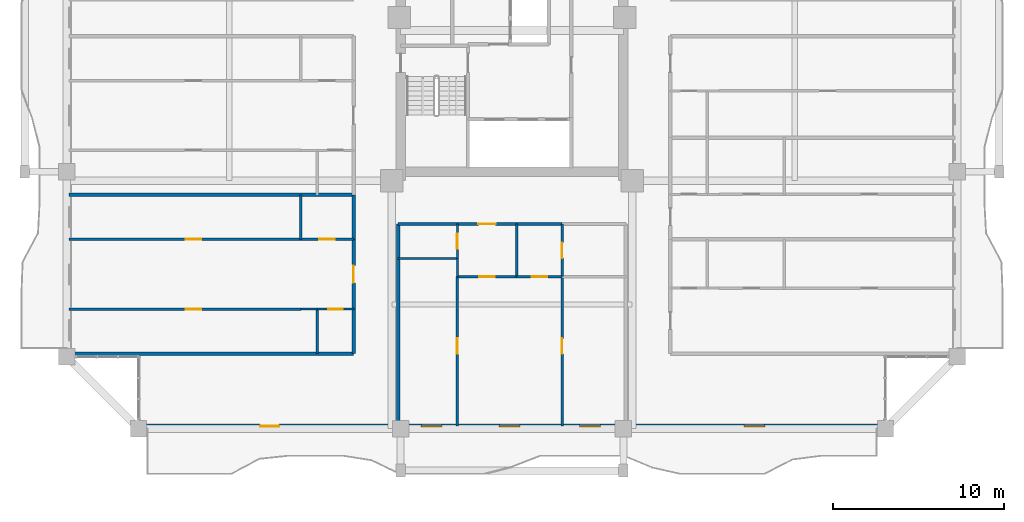
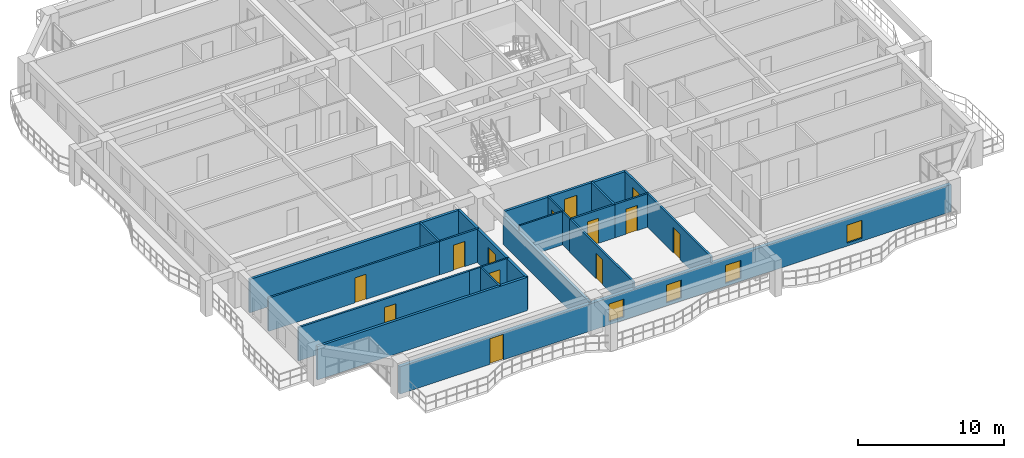
# One storey, part 14 of 26: 26 walls, 13 doors, 4 windows, 17 openings.
"""IFC4 building model written with IfcOpenShell, lengths in metres."""

from ifc_helpers import new_model, si_unit, direction, frame, frame_2d, origin, place, context, subcontext, project, spatial, rectangle, extrude, source, transform, mapped, material, layer, layer_set, type_object, element, fill, save


model = new_model("IFC4")

# Units and contexts
model_context = context("Model", 3, precision=1e-05, world=origin(), true_north=direction((0.0, 1.0)))
body_context = subcontext(model_context, "Body", "Model", "MODEL_VIEW")
ifc_project = project(units=[si_unit("LENGTHUNIT", "METRE"), si_unit("AREAUNIT", "SQUARE_METRE"), si_unit("VOLUMEUNIT", "CUBIC_METRE"), si_unit("PLANEANGLEUNIT", "RADIAN"), si_unit("MASSUNIT", "GRAM", prefix="KILO")], contexts=[model_context])

# Site, building, storey
site_placement = place(None, origin())
site = spatial("IfcSite", under=ifc_project, at=site_placement, CompositionType="ELEMENT")
building_placement = place(site_placement, origin())
building = spatial("IfcBuilding", under=site, at=building_placement, Name="Saelheon Loggia Tower", CompositionType="ELEMENT")
storey_placement = place(building_placement, frame((0.0, 0.0, 116.85009765625)))
storey = spatial("IfcBuildingStorey", under=building, at=storey_placement, Name="L37", CompositionType="ELEMENT", Elevation=116.85009765625)

# Wall, openings, windows, door
ifc_material_1 = material(Name="Architectural Precast Concrete C40/50", Category="concrete")
ifc_layer_1 = layer(ifc_material_1, 0.280029296875)
ifc_layer_set_1 = layer_set([ifc_layer_1], Name="Architectural Precast Concrete C40/50")
wall_type_1 = type_object("IfcWallType", Name="Wall_Ext_Loggia_280", PredefinedType="SOLIDWALL", material=ifc_layer_set_1)
wall_1_placement = place(storey_placement, frame((16.199951171875, 3.139892578125, 0.0), z_axis=(0.0, 0.0, 1.0), x_axis=(1.0, 0.0, 0.0)))
wall_1 = element("IfcWall", 1, at=wall_1_placement, inside=storey, type_object=wall_type_1, Name="L37 South Loggia Inner Wall", PredefinedType="SOLIDWALL", context=body_context, shape_type="SweptSolid", body=[
    extrude(rectangle(XDim=43.60009765625, YDim=0.280029296875, at=frame_2d((21.800048828125, 0.0))), origin(), (0.0, 0.0, 1.0), 2.27978515625),
])
opening_1_placement = place(wall_1_placement, frame((8.2001953125, 0.0, 0.0), z_axis=(0.0, 0.0, 1.0), x_axis=(-1.0, 0.0, 0.0)))
opening_1 = element("IfcOpeningElement", 2, at=opening_1_placement, cuts=wall_1, Name="Opening TD1", PredefinedType="OPENING", context=body_context, shape_type="SweptSolid", body=[
    extrude(rectangle(XDim=1.10009765625, YDim=2.14990234375, at=frame_2d((0.550048828125, 1.074951171875))), frame((0.0, 0.152099609375, 0.0), z_axis=(0.0, -1.0, 0.0), x_axis=(1.0, 0.0, 0.0)), (0.0, 0.0, 1.0), 0.303955078125),
])
opening_2_placement = place(wall_1_placement, frame((16.511474609375, 0.0, 0.25)))
opening_2 = element("IfcOpeningElement", 3, at=opening_2_placement, cuts=wall_1, Name="Opening WN-03", PredefinedType="OPENING", context=body_context, shape_type="SweptSolid", body=[
    extrude(rectangle(XDim=1.199951171875, YDim=1.5, at=frame_2d((0.60009765625, 0.75))), frame((0.0, 0.152099609375, 0.0), z_axis=(0.0, -1.0, 0.0), x_axis=(1.0, 0.0, 0.0)), (0.0, 0.0, 1.0), 0.303955078125),
])
opening_3_placement = place(wall_1_placement, frame((21.0654296875, 0.0, 0.25)))
opening_3 = element("IfcOpeningElement", 4, at=opening_3_placement, cuts=wall_1, Name="Opening WN-03", PredefinedType="OPENING", context=body_context, shape_type="SweptSolid", body=[
    extrude(rectangle(XDim=1.199951171875, YDim=1.5, at=frame_2d((0.60009765625, 0.75))), frame((0.0, 0.152099609375, 0.0), z_axis=(0.0, -1.0, 0.0), x_axis=(1.0, 0.0, 0.0)), (0.0, 0.0, 1.0), 0.303955078125),
])
opening_4_placement = place(wall_1_placement, frame((25.75390625, 0.0, 0.25)))
opening_4 = element("IfcOpeningElement", 5, at=opening_4_placement, cuts=wall_1, Name="Opening WN-03", PredefinedType="OPENING", context=body_context, shape_type="SweptSolid", body=[
    extrude(rectangle(XDim=1.199951171875, YDim=1.5, at=frame_2d((0.60009765625, 0.75))), frame((0.0, 0.152099609375, 0.0), z_axis=(0.0, -1.0, 0.0), x_axis=(1.0, 0.0, 0.0)), (0.0, 0.0, 1.0), 0.303955078125),
])
opening_5_placement = place(wall_1_placement, frame((35.35009765625, 0.0, 0.25)))
opening_5 = element("IfcOpeningElement", 6, at=opening_5_placement, cuts=wall_1, Name="Opening WN-03", PredefinedType="OPENING", context=body_context, shape_type="SweptSolid", body=[
    extrude(rectangle(XDim=1.199951171875, YDim=1.5, at=frame_2d((0.60009765625, 0.75))), frame((0.0, 0.152099609375, 0.0), z_axis=(0.0, -1.0, 0.0), x_axis=(1.0, 0.0, 0.0)), (0.0, 0.0, 1.0), 0.303955078125),
])
ifc_material_2 = material(Name="Thermal-Break Aluminium and Triple Low-E Glass", Category="aluminium")
window_type = type_object("IfcWindowType", Name="Win_Bedroom_1200x1500", PartitioningType="SINGLE_PANEL", PredefinedType="WINDOW", material=ifc_material_2)
shared_shape_1 = source(origin(), body_context, "Body", "SweptSolid", [
    extrude(rectangle(XDim=1.199951171875, YDim=1.5, at=frame_2d((0.60009765625, 0.75))), frame((0.0, 0.030029296875, 0.0), z_axis=(0.0, -1.0, 0.0), x_axis=(1.0, 0.0, 0.0)), (0.0, 0.0, 1.0), 0.06005859375),
])
window_1_placement = place(opening_2_placement, origin())
window_1 = element("IfcWindow", 7, at=window_1_placement, inside=storey, type_object=window_type, Name="L37 S Dwelling Window 2", OverallHeight=1.5, OverallWidth=1.199951171875, PartitioningType="SINGLE_PANEL", PredefinedType="WINDOW", context=body_context, shape_type="MappedRepresentation", body=[
    mapped(shared_shape_1, transform((0.0, 0.0, 0.0), scale=1.0)),
])
fill(opening_2, window_1)
window_2_placement = place(opening_3_placement, origin())
window_2 = element("IfcWindow", 8, at=window_2_placement, inside=storey, type_object=window_type, Name="L37 S Dwelling Window 3", OverallHeight=1.5, OverallWidth=1.199951171875, PartitioningType="SINGLE_PANEL", PredefinedType="WINDOW", context=body_context, shape_type="MappedRepresentation", body=[
    mapped(shared_shape_1, transform((0.0, 0.0, 0.0), scale=1.0)),
])
fill(opening_3, window_2)
window_3_placement = place(opening_4_placement, origin())
window_3 = element("IfcWindow", 9, at=window_3_placement, inside=storey, type_object=window_type, Name="L37 S Dwelling Window 4", OverallHeight=1.5, OverallWidth=1.199951171875, PartitioningType="SINGLE_PANEL", PredefinedType="WINDOW", context=body_context, shape_type="MappedRepresentation", body=[
    mapped(shared_shape_1, transform((0.0, 0.0, 0.0), scale=1.0)),
])
fill(opening_4, window_3)
window_4_placement = place(opening_5_placement, origin())
window_4 = element("IfcWindow", 10, at=window_4_placement, inside=storey, type_object=window_type, Name="L37 S Dwelling Window 5", OverallHeight=1.5, OverallWidth=1.199951171875, PartitioningType="SINGLE_PANEL", PredefinedType="WINDOW", context=body_context, shape_type="MappedRepresentation", body=[
    mapped(shared_shape_1, transform((0.0, 0.0, 0.0), scale=1.0)),
])
fill(opening_5, window_4)
ifc_material_3 = material(Name="Thermal-Break Aluminium Glazed Door", Category="aluminium")
door_type_1 = type_object("IfcDoorType", Name="Door_Terrace_TD1", OperationType="NOTDEFINED", PredefinedType="DOOR", material=ifc_material_3)
shared_shape_2 = source(origin(), body_context, "Body", "SweptSolid", [
    extrude(rectangle(XDim=1.10009765625, YDim=2.14990234375, at=frame_2d((0.550048828125, 1.074951171875))), frame((0.0, 0.02490234375, 0.0), z_axis=(0.0, -1.0, 0.0), x_axis=(1.0, 0.0, 0.0)), (0.0, 0.0, 1.0), 0.050048828125),
])
door_1_placement = place(opening_1_placement, origin())
door_1 = element("IfcDoor", 11, at=door_1_placement, inside=storey, type_object=door_type_1, Name="L37 S Loggia Access Door", OperationType="SINGLE_SWING_LEFT", OverallHeight=2.14990234375, OverallWidth=1.10009765625, PredefinedType="DOOR", context=body_context, shape_type="MappedRepresentation", body=[
    mapped(shared_shape_2, transform((0.0, 0.0, 0.0), scale=1.0)),
])
fill(opening_1, door_1)

# Wall
ifc_material_4 = material(Name="Lightweight Autoclaved Aerated Concrete Block and Acoustic Gypsum", Category="concrete")
ifc_layer_2 = layer(ifc_material_4, 0.14990234375)
ifc_layer_set_2 = layer_set([ifc_layer_2], Name="Lightweight Autoclaved Aerated Concrete Block and Acoustic Gypsum")
wall_type_2 = type_object("IfcWallType", Name="Wall_Part_150", PredefinedType="PARTITIONING", material=ifc_layer_set_2)
wall_2_placement = place(storey_placement, frame((38.27294921875, 14.949951171875, 0.0), z_axis=(0.0, 0.0, 1.0), x_axis=(0.0, -1.0, 0.0)))
element("IfcWall", 12, at=wall_2_placement, inside=storey, type_object=wall_type_2, Name="L37 S Partition U06", PredefinedType="PARTITIONING", context=body_context, shape_type="SweptSolid", body=[
    extrude(rectangle(XDim=3.079833984375, YDim=0.14990234375, at=frame_2d((1.5400390625, 0.0))), origin(), (0.0, 0.0, 1.0), 2.789794921875),
])

# Wall, opening, door
wall_3_placement = place(storey_placement, frame((34.80810546875, 11.8701171875, 0.0), z_axis=(0.0, 0.0, 1.0), x_axis=(1.0, 0.0, 0.0)))
wall_3 = element("IfcWall", 13, at=wall_3_placement, inside=storey, type_object=wall_type_2, Name="L37 S Partition V07", PredefinedType="PARTITIONING", context=body_context, shape_type="SweptSolid", body=[
    extrude(rectangle(XDim=3.46484375, YDim=0.14990234375, at=frame_2d((1.732421875, 0.0))), origin(), (0.0, 0.0, 1.0), 2.789794921875),
])
opening_6_placement = place(wall_3_placement, frame((1.282470703125, 0.0, 0.0)))
opening_6 = element("IfcOpeningElement", 14, at=opening_6_placement, cuts=wall_3, Name="Opening D-IN2", PredefinedType="OPENING", context=body_context, shape_type="SweptSolid", body=[
    extrude(rectangle(XDim=0.89990234375, YDim=2.10009765625, at=frame_2d((0.449951171875, 1.050048828125))), frame((0.0, 0.0869140625, 0.0), z_axis=(0.0, -1.0, 0.0), x_axis=(1.0, 0.0, 0.0)), (0.0, 0.0, 1.0), 0.173828125),
])
ifc_material_5 = material(Name="Engineered Oak Flush Door", Category="timber")
door_type_2 = type_object("IfcDoorType", Name="Door_Int_900", OperationType="NOTDEFINED", PredefinedType="DOOR", material=ifc_material_5)
shared_shape_3 = source(origin(), body_context, "Body", "SweptSolid", [
    extrude(rectangle(XDim=0.89990234375, YDim=2.10009765625, at=frame_2d((0.449951171875, 1.050048828125))), frame((0.0, 0.02490234375, 0.0), z_axis=(0.0, -1.0, 0.0), x_axis=(1.0, 0.0, 0.0)), (0.0, 0.0, 1.0), 0.050048828125),
])
door_2_placement = place(opening_6_placement, origin())
door_2 = element("IfcDoor", 15, at=door_2_placement, inside=storey, type_object=door_type_2, Name="Unit U01 Living Door", OperationType="SINGLE_SWING_LEFT", OverallHeight=2.10009765625, OverallWidth=0.89990234375, PredefinedType="DOOR", context=body_context, shape_type="MappedRepresentation", body=[
    mapped(shared_shape_3, transform((0.0, 0.0, 0.0), scale=1.0)),
])
fill(opening_6, door_2)

wall_4_placement = place(storey_placement, frame((38.27294921875, 11.8701171875, 0.0), z_axis=(0.0, 0.0, 1.0), x_axis=(1.0, 0.0, 0.0)))
wall_4 = element("IfcWall", 16, at=wall_4_placement, inside=storey, type_object=wall_type_2, Name="L37 S Partition V08", PredefinedType="PARTITIONING", context=body_context, shape_type="SweptSolid", body=[
    extrude(rectangle(XDim=2.64990234375, YDim=0.14990234375, at=frame_2d((1.324951171875, 0.0))), origin(), (0.0, 0.0, 1.0), 2.789794921875),
])
opening_7_placement = place(wall_4_placement, frame((0.875, 0.0, 0.0)))
opening_7 = element("IfcOpeningElement", 17, at=opening_7_placement, cuts=wall_4, Name="Opening D-IN2", PredefinedType="OPENING", context=body_context, shape_type="SweptSolid", body=[
    extrude(rectangle(XDim=0.89990234375, YDim=2.10009765625, at=frame_2d((0.449951171875, 1.050048828125))), frame((0.0, 0.0869140625, 0.0), z_axis=(0.0, -1.0, 0.0), x_axis=(1.0, 0.0, 0.0)), (0.0, 0.0, 1.0), 0.173828125),
])
door_3_placement = place(opening_7_placement, origin())
door_3 = element("IfcDoor", 18, at=door_3_placement, inside=storey, type_object=door_type_2, Name="Unit U01 Music Hobby Studio Door", OperationType="SINGLE_SWING_RIGHT", OverallHeight=2.10009765625, OverallWidth=0.89990234375, PredefinedType="DOOR", context=body_context, shape_type="MappedRepresentation", body=[
    mapped(shared_shape_3, transform((0.0, 0.0, 0.0), scale=1.0)),
])
fill(opening_7, door_3)

wall_5_placement = place(storey_placement, frame((34.80810546875, 11.8701171875, 0.0), z_axis=(0.0, 0.0, 1.0), x_axis=(0.0, -1.0, 0.0)))
wall_5 = element("IfcWall", 19, at=wall_5_placement, inside=storey, type_object=wall_type_2, Name="L37 S Partition U14", PredefinedType="PARTITIONING", context=body_context, shape_type="SweptSolid", body=[
    extrude(rectangle(XDim=8.72021484375, YDim=0.14990234375, at=frame_2d((4.360107421875, 0.0))), origin(), (0.0, 0.0, 1.0), 2.789794921875),
])
opening_8_placement = place(wall_5_placement, frame((3.604248046875, 0.0, 0.0)))
opening_8 = element("IfcOpeningElement", 20, at=opening_8_placement, cuts=wall_5, Name="Opening D-IN2", PredefinedType="OPENING", context=body_context, shape_type="SweptSolid", body=[
    extrude(rectangle(XDim=0.89990234375, YDim=2.10009765625, at=frame_2d((0.449951171875, 1.050048828125))), frame((0.0, 0.0869140625, 0.0), z_axis=(0.0, -1.0, 0.0), x_axis=(1.0, 0.0, 0.0)), (0.0, 0.0, 1.0), 0.173828125),
])
door_4_placement = place(opening_8_placement, origin())
door_4 = element("IfcDoor", 21, at=door_4_placement, inside=storey, type_object=door_type_2, Name="Unit U01 Bedroom 2 Door", OperationType="SINGLE_SWING_RIGHT", OverallHeight=2.10009765625, OverallWidth=0.89990234375, PredefinedType="DOOR", context=body_context, shape_type="MappedRepresentation", body=[
    mapped(shared_shape_3, transform((0.0, 0.0, 0.0), scale=1.0)),
])
fill(opening_8, door_4)

wall_6_placement = place(storey_placement, frame((40.9228515625, 14.949951171875, 0.0), z_axis=(0.0, 0.0, 1.0), x_axis=(0.0, -1.0, 0.0)))
wall_6 = element("IfcWall", 22, at=wall_6_placement, inside=storey, type_object=wall_type_2, Name="L37 S Partition U15", PredefinedType="PARTITIONING", context=body_context, shape_type="SweptSolid", body=[
    extrude(rectangle(XDim=3.079833984375, YDim=0.14990234375, at=frame_2d((1.5400390625, 0.0))), origin(), (0.0, 0.0, 1.0), 2.789794921875),
])
opening_9_placement = place(wall_6_placement, frame((1.090087890625, 0.0, 0.0)))
opening_9 = element("IfcOpeningElement", 23, at=opening_9_placement, cuts=wall_6, Name="Opening D-IN2", PredefinedType="OPENING", context=body_context, shape_type="SweptSolid", body=[
    extrude(rectangle(XDim=0.89990234375, YDim=2.10009765625, at=frame_2d((0.449951171875, 1.050048828125))), frame((0.0, 0.0869140625, 0.0), z_axis=(0.0, -1.0, 0.0), x_axis=(1.0, 0.0, 0.0)), (0.0, 0.0, 1.0), 0.173828125),
])
door_5_placement = place(opening_9_placement, origin())
door_5 = element("IfcDoor", 24, at=door_5_placement, inside=storey, type_object=door_type_2, Name="Unit U01 Kitchen Door", OperationType="SINGLE_SWING_LEFT", OverallHeight=2.10009765625, OverallWidth=0.89990234375, PredefinedType="DOOR", context=body_context, shape_type="MappedRepresentation", body=[
    mapped(shared_shape_3, transform((0.0, 0.0, 0.0), scale=1.0)),
])
fill(opening_9, door_5)

wall_7_placement = place(storey_placement, frame((40.9228515625, 11.8701171875, 0.0), z_axis=(0.0, 0.0, 1.0), x_axis=(0.0, -1.0, 0.0)))
wall_7 = element("IfcWall", 25, at=wall_7_placement, inside=storey, type_object=wall_type_2, Name="L37 S Partition U16", PredefinedType="PARTITIONING", context=body_context, shape_type="SweptSolid", body=[
    extrude(rectangle(XDim=8.72021484375, YDim=0.14990234375, at=frame_2d((4.360107421875, 0.0))), origin(), (0.0, 0.0, 1.0), 2.789794921875),
])
opening_10_placement = place(wall_7_placement, frame((3.604248046875, 0.0, 0.0)))
opening_10 = element("IfcOpeningElement", 26, at=opening_10_placement, cuts=wall_7, Name="Opening D-IN2", PredefinedType="OPENING", context=body_context, shape_type="SweptSolid", body=[
    extrude(rectangle(XDim=0.89990234375, YDim=2.10009765625, at=frame_2d((0.449951171875, 1.050048828125))), frame((0.0, 0.0869140625, 0.0), z_axis=(0.0, -1.0, 0.0), x_axis=(1.0, 0.0, 0.0)), (0.0, 0.0, 1.0), 0.173828125),
])
door_6_placement = place(opening_10_placement, origin())
door_6 = element("IfcDoor", 27, at=door_6_placement, inside=storey, type_object=door_type_2, Name="Unit U01 Bedroom 1 Door", OperationType="SINGLE_SWING_RIGHT", OverallHeight=2.10009765625, OverallWidth=0.89990234375, PredefinedType="DOOR", context=body_context, shape_type="MappedRepresentation", body=[
    mapped(shared_shape_3, transform((0.0, 0.0, 0.0), scale=1.0)),
])
fill(opening_10, door_6)

# Wall
wall_8_placement = place(storey_placement, frame((25.669921875, 14.050048828125, 0.0), z_axis=(0.0, 0.0, 1.0), x_axis=(0.0, 1.0, 0.0)))
element("IfcWall", 28, at=wall_8_placement, inside=storey, type_object=wall_type_2, Name="L37 WS Partition V07", PredefinedType="PARTITIONING", context=body_context, shape_type="SweptSolid", body=[
    extrude(rectangle(XDim=2.599853515625, YDim=0.14990234375, at=frame_2d((1.2998046875, 0.0))), origin(), (0.0, 0.0, 1.0), 2.789794921875),
])

# Wall, opening, door
wall_9_placement = place(storey_placement, frame((25.669921875, 9.9755859375, 0.0), z_axis=(0.0, 0.0, 1.0), x_axis=(-1.0, 0.0, 0.0)))
wall_9 = element("IfcWall", 29, at=wall_9_placement, inside=storey, type_object=wall_type_2, Name="L37 WS Partition U10", PredefinedType="PARTITIONING", context=body_context, shape_type="SweptSolid", body=[
    extrude(rectangle(XDim=13.52001953125, YDim=0.14990234375, at=frame_2d((6.760009765625, 0.0))), origin(), (0.0, 0.0, 1.0), 2.789794921875),
])
opening_11_placement = place(wall_9_placement, frame((5.80419921875, 0.0, 0.0)))
opening_11 = element("IfcOpeningElement", 30, at=opening_11_placement, cuts=wall_9, Name="Opening D-IN2", PredefinedType="OPENING", context=body_context, shape_type="SweptSolid", body=[
    extrude(rectangle(XDim=0.89990234375, YDim=2.10009765625, at=frame_2d((0.449951171875, 1.050048828125))), frame((0.0, 0.0869140625, 0.0), z_axis=(0.0, -1.0, 0.0), x_axis=(1.0, 0.0, 0.0)), (0.0, 0.0, 1.0), 0.173828125),
])
door_7_placement = place(opening_11_placement, origin())
door_7 = element("IfcDoor", 31, at=door_7_placement, inside=storey, type_object=door_type_2, Name="Unit U05 Kitchen Door", OperationType="SINGLE_SWING_LEFT", OverallHeight=2.10009765625, OverallWidth=0.89990234375, PredefinedType="DOOR", context=body_context, shape_type="MappedRepresentation", body=[
    mapped(shared_shape_3, transform((0.0, 0.0, 0.0), scale=1.0)),
])
fill(opening_11, door_7)

wall_10_placement = place(storey_placement, frame((28.75, 14.050048828125, 0.0), z_axis=(0.0, 0.0, 1.0), x_axis=(-1.0, 0.0, 0.0)))
wall_10 = element("IfcWall", 32, at=wall_10_placement, inside=storey, type_object=wall_type_2, Name="L37 WS Partition U11", PredefinedType="PARTITIONING", context=body_context, shape_type="SweptSolid", body=[
    extrude(rectangle(XDim=3.080078125, YDim=0.14990234375, at=frame_2d((1.5400390625, 0.0))), origin(), (0.0, 0.0, 1.0), 2.789794921875),
])
opening_12_placement = place(wall_10_placement, frame((1.090087890625, 0.0, 0.0)))
opening_12 = element("IfcOpeningElement", 33, at=opening_12_placement, cuts=wall_10, Name="Opening D-IN2", PredefinedType="OPENING", context=body_context, shape_type="SweptSolid", body=[
    extrude(rectangle(XDim=0.89990234375, YDim=2.10009765625, at=frame_2d((0.449951171875, 1.050048828125))), frame((0.0, 0.0869140625, 0.0), z_axis=(0.0, -1.0, 0.0), x_axis=(1.0, 0.0, 0.0)), (0.0, 0.0, 1.0), 0.173828125),
])
door_8_placement = place(opening_12_placement, origin())
door_8 = element("IfcDoor", 34, at=door_8_placement, inside=storey, type_object=door_type_2, Name="Unit U05 Dressing Closet Door", OperationType="SINGLE_SWING_RIGHT", OverallHeight=2.10009765625, OverallWidth=0.89990234375, PredefinedType="DOOR", context=body_context, shape_type="MappedRepresentation", body=[
    mapped(shared_shape_3, transform((0.0, 0.0, 0.0), scale=1.0)),
])
fill(opening_12, door_8)

wall_11_placement = place(storey_placement, frame((25.669921875, 14.050048828125, 0.0), z_axis=(0.0, 0.0, 1.0), x_axis=(-1.0, 0.0, 0.0)))
wall_11 = element("IfcWall", 35, at=wall_11_placement, inside=storey, type_object=wall_type_2, Name="L37 WS Partition U12", PredefinedType="PARTITIONING", context=body_context, shape_type="SweptSolid", body=[
    extrude(rectangle(XDim=13.52001953125, YDim=0.14990234375, at=frame_2d((6.760009765625, 0.0))), origin(), (0.0, 0.0, 1.0), 2.789794921875),
])
opening_13_placement = place(wall_11_placement, frame((5.80419921875, 0.0, 0.0)))
opening_13 = element("IfcOpeningElement", 36, at=opening_13_placement, cuts=wall_11, Name="Opening D-IN2", PredefinedType="OPENING", context=body_context, shape_type="SweptSolid", body=[
    extrude(rectangle(XDim=0.89990234375, YDim=2.10009765625, at=frame_2d((0.449951171875, 1.050048828125))), frame((0.0, 0.0869140625, 0.0), z_axis=(0.0, -1.0, 0.0), x_axis=(1.0, 0.0, 0.0)), (0.0, 0.0, 1.0), 0.173828125),
])
door_9_placement = place(opening_13_placement, origin())
door_9 = element("IfcDoor", 37, at=door_9_placement, inside=storey, type_object=door_type_2, Name="Unit U05 Bedroom 1 Door", OperationType="SINGLE_SWING_LEFT", OverallHeight=2.10009765625, OverallWidth=0.89990234375, PredefinedType="DOOR", context=body_context, shape_type="MappedRepresentation", body=[
    mapped(shared_shape_3, transform((0.0, 0.0, 0.0), scale=1.0)),
])
fill(opening_13, door_9)

# Walls
ifc_material_6 = material(Name="Double Acoustic Stud and Fireboard Partition", Category="gypsum")
ifc_layer_3 = layer(ifc_material_6, 0.199951171875)
ifc_layer_set_3 = layer_set([ifc_layer_3], Name="Double Acoustic Stud and Fireboard Partition")
wall_type_3 = type_object("IfcWallType", Name="Wall_Party_200", PredefinedType="PARTITIONING", material=ifc_layer_set_3)
wall_12_placement = place(storey_placement, frame((31.35009765625, 14.949951171875, 0.0), z_axis=(0.0, 0.0, 1.0), x_axis=(0.0, -1.0, 0.0)))
element("IfcWall", 38, at=wall_12_placement, inside=storey, type_object=wall_type_3, Name="L37 S Partition U01", PredefinedType="PARTITIONING", context=body_context, shape_type="SweptSolid", body=[
    extrude(rectangle(XDim=11.800048828125, YDim=0.199951171875, at=frame_2d((5.89990234375, 0.0))), origin(), (0.0, 0.0, 1.0), 2.33984375),
])
wall_13_placement = place(storey_placement, frame((31.35009765625, 14.949951171875, 0.0), z_axis=(0.0, 0.0, 1.0), x_axis=(1.0, 0.0, 0.0)))
element("IfcWall", 39, at=wall_13_placement, inside=storey, type_object=wall_type_3, Name="L37 S Partition V03", PredefinedType="PARTITIONING", context=body_context, shape_type="SweptSolid", body=[
    extrude(rectangle(XDim=3.4580078125, YDim=0.199951171875, at=frame_2d((1.72900390625, 0.0))), origin(), (0.0, 0.0, 1.0), 2.789794921875),
])

# Wall, opening, door
wall_14_placement = place(storey_placement, frame((34.80810546875, 14.949951171875, 0.0), z_axis=(0.0, 0.0, 1.0), x_axis=(1.0, 0.0, 0.0)))
wall_14 = element("IfcWall", 40, at=wall_14_placement, inside=storey, type_object=wall_type_3, Name="L37 S Partition V04", PredefinedType="PARTITIONING", context=body_context, shape_type="SweptSolid", body=[
    extrude(rectangle(XDim=3.46484375, YDim=0.199951171875, at=frame_2d((1.732421875, 0.0))), origin(), (0.0, 0.0, 1.0), 2.789794921875),
])
opening_14_placement = place(wall_14_placement, frame((1.232421875, 0.0, 0.0)))
opening_14 = element("IfcOpeningElement", 41, at=opening_14_placement, cuts=wall_14, Name="Opening D-FD1", PredefinedType="OPENING", context=body_context, shape_type="SweptSolid", body=[
    extrude(rectangle(XDim=1.0, YDim=2.14990234375, at=frame_2d((0.5, 1.074951171875))), frame((0.0, 0.112060546875, 0.0), z_axis=(0.0, -1.0, 0.0), x_axis=(1.0, 0.0, 0.0)), (0.0, 0.0, 1.0), 0.223876953125),
])
ifc_material_7 = material(Name="Fire-Rated Engineered Timber Entrance Door", Category="wood")
door_type_3 = type_object("IfcDoorType", Name="Door_Flat_FD30S", OperationType="NOTDEFINED", PredefinedType="DOOR", material=ifc_material_7)
shared_shape_4 = source(origin(), body_context, "Body", "SweptSolid", [
    extrude(rectangle(XDim=1.0, YDim=2.14990234375, at=frame_2d((0.5, 1.074951171875))), frame((0.0, 0.02490234375, 0.0), z_axis=(0.0, -1.0, 0.0), x_axis=(1.0, 0.0, 0.0)), (0.0, 0.0, 1.0), 0.050048828125),
])
door_10_placement = place(opening_14_placement, origin())
door_10 = element("IfcDoor", 42, at=door_10_placement, inside=storey, type_object=door_type_3, Name="Unit U01 Entrance Door", OperationType="SINGLE_SWING_RIGHT", OverallHeight=2.14990234375, OverallWidth=1.0, PredefinedType="DOOR", context=body_context, shape_type="MappedRepresentation", body=[
    mapped(shared_shape_4, transform((0.0, 0.0, 0.0), scale=1.0)),
])
fill(opening_14, door_10)

# Walls
wall_15_placement = place(storey_placement, frame((38.27294921875, 14.949951171875, 0.0), z_axis=(0.0, 0.0, 1.0), x_axis=(1.0, 0.0, 0.0)))
element("IfcWall", 43, at=wall_15_placement, inside=storey, type_object=wall_type_3, Name="L37 S Partition V05", PredefinedType="PARTITIONING", context=body_context, shape_type="SweptSolid", body=[
    extrude(rectangle(XDim=2.64990234375, YDim=0.199951171875, at=frame_2d((1.324951171875, 0.0))), origin(), (0.0, 0.0, 1.0), 2.789794921875),
])
wall_16_placement = place(storey_placement, frame((28.75, 7.3798828125, 0.0), z_axis=(0.0, 0.0, 1.0), x_axis=(-1.0, 0.0, 0.0)))
element("IfcWall", 44, at=wall_16_placement, inside=storey, type_object=wall_type_3, Name="L37 WS Partition U01", PredefinedType="PARTITIONING", context=body_context, shape_type="SweptSolid", body=[
    extrude(rectangle(XDim=16.60009765625, YDim=0.199951171875, at=frame_2d((8.300048828125, 0.0))), origin(), (0.0, 0.0, 1.0), 2.789794921875),
])
wall_17_placement = place(storey_placement, frame((28.75, 7.3798828125, 0.0), z_axis=(0.0, 0.0, 1.0), x_axis=(0.0, 1.0, 0.0)))
element("IfcWall", 45, at=wall_17_placement, inside=storey, type_object=wall_type_3, Name="L37 WS Partition V03", PredefinedType="PARTITIONING", context=body_context, shape_type="SweptSolid", body=[
    extrude(rectangle(XDim=2.595703125, YDim=0.199951171875, at=frame_2d((1.2978515625, 0.0))), origin(), (0.0, 0.0, 1.0), 2.789794921875),
])

# Wall, opening, door
wall_18_placement = place(storey_placement, frame((28.75, 9.9755859375, 0.0), z_axis=(0.0, 0.0, 1.0), x_axis=(0.0, 1.0, 0.0)))
wall_18 = element("IfcWall", 46, at=wall_18_placement, inside=storey, type_object=wall_type_3, Name="L37 WS Partition V04", PredefinedType="PARTITIONING", context=body_context, shape_type="SweptSolid", body=[
    extrude(rectangle(XDim=4.074462890625, YDim=0.199951171875, at=frame_2d((2.037109375, 0.0))), origin(), (0.0, 0.0, 1.0), 2.789794921875),
])
opening_15_placement = place(wall_18_placement, frame((1.537109375, 0.0, 0.0)))
opening_15 = element("IfcOpeningElement", 47, at=opening_15_placement, cuts=wall_18, Name="Opening D-FD1", PredefinedType="OPENING", context=body_context, shape_type="SweptSolid", body=[
    extrude(rectangle(XDim=1.0, YDim=2.14990234375, at=frame_2d((0.5, 1.074951171875))), frame((0.0, 0.112060546875, 0.0), z_axis=(0.0, -1.0, 0.0), x_axis=(1.0, 0.0, 0.0)), (0.0, 0.0, 1.0), 0.223876953125),
])
door_11_placement = place(opening_15_placement, origin())
door_11 = element("IfcDoor", 48, at=door_11_placement, inside=storey, type_object=door_type_3, Name="Unit U05 Entrance Door", OperationType="SINGLE_SWING_LEFT", OverallHeight=2.14990234375, OverallWidth=1.0, PredefinedType="DOOR", context=body_context, shape_type="MappedRepresentation", body=[
    mapped(shared_shape_4, transform((0.0, 0.0, 0.0), scale=1.0)),
])
fill(opening_15, door_11)

# Walls
wall_19_placement = place(storey_placement, frame((28.75, 14.050048828125, 0.0), z_axis=(0.0, 0.0, 1.0), x_axis=(0.0, 1.0, 0.0)))
element("IfcWall", 49, at=wall_19_placement, inside=storey, type_object=wall_type_3, Name="L37 WS Partition V05", PredefinedType="PARTITIONING", context=body_context, shape_type="SweptSolid", body=[
    extrude(rectangle(XDim=2.599853515625, YDim=0.199951171875, at=frame_2d((1.2998046875, 0.0))), origin(), (0.0, 0.0, 1.0), 2.789794921875),
])
wall_20_placement = place(storey_placement, frame((28.75, 16.64990234375, 0.0), z_axis=(0.0, 0.0, 1.0), x_axis=(-1.0, 0.0, 0.0)))
element("IfcWall", 50, at=wall_20_placement, inside=storey, type_object=wall_type_3, Name="L37 WS Partition U13", PredefinedType="PARTITIONING", context=body_context, shape_type="SweptSolid", body=[
    extrude(rectangle(XDim=16.60009765625, YDim=0.199951171875, at=frame_2d((8.300048828125, 0.0))), origin(), (0.0, 0.0, 1.0), 2.789794921875),
])
ifc_material_8 = material(Name="Moisture-Resistant Cement Board Partition", Category="gypsum")
ifc_layer_4 = layer(ifc_material_8, 0.1201171875)
ifc_layer_set_4 = layer_set([ifc_layer_4], Name="Moisture-Resistant Cement Board Partition")
wall_type_4 = type_object("IfcWallType", Name="Wall_WetPart_120", PredefinedType="PARTITIONING", material=ifc_layer_set_4)
wall_21_placement = place(storey_placement, frame((31.35009765625, 12.929931640625, 0.0), z_axis=(0.0, 0.0, 1.0), x_axis=(1.0, 0.0, 0.0)))
element("IfcWall", 51, at=wall_21_placement, inside=storey, type_object=wall_type_4, Name="L37 S Partition V10", PredefinedType="PARTITIONING", context=body_context, shape_type="SweptSolid", body=[
    extrude(rectangle(XDim=3.4580078125, YDim=0.1201171875, at=frame_2d((1.72900390625, 0.0))), origin(), (0.0, 0.0, 1.0), 2.789794921875),
])

# Wall, opening, door
wall_22_placement = place(storey_placement, frame((34.80810546875, 14.949951171875, 0.0), z_axis=(0.0, 0.0, 1.0), x_axis=(0.0, -1.0, 0.0)))
wall_22 = element("IfcWall", 52, at=wall_22_placement, inside=storey, type_object=wall_type_4, Name="L37 S Partition U12", PredefinedType="PARTITIONING", context=body_context, shape_type="SweptSolid", body=[
    extrude(rectangle(XDim=2.02001953125, YDim=0.1201171875, at=frame_2d((1.010009765625, 0.0))), origin(), (0.0, 0.0, 1.0), 2.789794921875),
])
opening_16_placement = place(wall_22_placement, frame((0.5849609375, 0.0, 0.0)))
opening_16 = element("IfcOpeningElement", 53, at=opening_16_placement, cuts=wall_22, Name="Opening D-BT1", PredefinedType="OPENING", context=body_context, shape_type="SweptSolid", body=[
    extrude(rectangle(XDim=0.85009765625, YDim=2.050048828125, at=frame_2d((0.425048828125, 1.02490234375))), frame((0.0, 0.072021484375, 0.0), z_axis=(0.0, -1.0, 0.0), x_axis=(1.0, 0.0, 0.0)), (0.0, 0.0, 1.0), 0.14404296875),
])
ifc_material_9 = material(Name="Moisture-Resistant Laminate Timber Door", Category="wood")
door_type_4 = type_object("IfcDoorType", Name="Door_Bath_850", OperationType="NOTDEFINED", PredefinedType="DOOR", material=ifc_material_9)
shared_shape_5 = source(origin(), body_context, "Body", "SweptSolid", [
    extrude(rectangle(XDim=0.85009765625, YDim=2.050048828125, at=frame_2d((0.425048828125, 1.02490234375))), frame((0.0, 0.02490234375, 0.0), z_axis=(0.0, -1.0, 0.0), x_axis=(1.0, 0.0, 0.0)), (0.0, 0.0, 1.0), 0.050048828125),
])
door_12_placement = place(opening_16_placement, origin())
door_12 = element("IfcDoor", 54, at=door_12_placement, inside=storey, type_object=door_type_4, Name="Unit U01 Bathroom Door", OperationType="SINGLE_SWING_LEFT", OverallHeight=2.050048828125, OverallWidth=0.85009765625, PredefinedType="DOOR", context=body_context, shape_type="MappedRepresentation", body=[
    mapped(shared_shape_5, transform((0.0, 0.0, 0.0), scale=1.0)),
])
fill(opening_16, door_12)

# Walls
wall_23_placement = place(storey_placement, frame((34.80810546875, 12.929931640625, 0.0), z_axis=(0.0, 0.0, 1.0), x_axis=(0.0, -1.0, 0.0)))
element("IfcWall", 55, at=wall_23_placement, inside=storey, type_object=wall_type_4, Name="L37 S Partition U13", PredefinedType="PARTITIONING", context=body_context, shape_type="SweptSolid", body=[
    extrude(rectangle(XDim=1.059814453125, YDim=0.1201171875, at=frame_2d((0.52978515625, 0.0))), origin(), (0.0, 0.0, 1.0), 2.789794921875),
])
wall_24_placement = place(storey_placement, frame((26.6298828125, 7.3798828125, 0.0), z_axis=(0.0, 0.0, 1.0), x_axis=(0.0, 1.0, 0.0)))
element("IfcWall", 56, at=wall_24_placement, inside=storey, type_object=wall_type_4, Name="L37 WS Partition V06", PredefinedType="PARTITIONING", context=body_context, shape_type="SweptSolid", body=[
    extrude(rectangle(XDim=2.595703125, YDim=0.1201171875, at=frame_2d((1.2978515625, 0.0))), origin(), (0.0, 0.0, 1.0), 2.789794921875),
])

# Wall, opening, door
wall_25_placement = place(storey_placement, frame((28.75, 9.9755859375, 0.0), z_axis=(0.0, 0.0, 1.0), x_axis=(-1.0, 0.0, 0.0)))
wall_25 = element("IfcWall", 57, at=wall_25_placement, inside=storey, type_object=wall_type_4, Name="L37 WS Partition U08", PredefinedType="PARTITIONING", context=body_context, shape_type="SweptSolid", body=[
    extrude(rectangle(XDim=2.1201171875, YDim=0.1201171875, at=frame_2d((1.06005859375, 0.0))), origin(), (0.0, 0.0, 1.0), 2.789794921875),
])
opening_17_placement = place(wall_25_placement, frame((0.635009765625, 0.0, 0.0)))
opening_17 = element("IfcOpeningElement", 58, at=opening_17_placement, cuts=wall_25, Name="Opening D-BT1", PredefinedType="OPENING", context=body_context, shape_type="SweptSolid", body=[
    extrude(rectangle(XDim=0.85009765625, YDim=2.050048828125, at=frame_2d((0.425048828125, 1.02490234375))), frame((0.0, 0.072021484375, 0.0), z_axis=(0.0, -1.0, 0.0), x_axis=(1.0, 0.0, 0.0)), (0.0, 0.0, 1.0), 0.14404296875),
])
door_13_placement = place(opening_17_placement, origin())
door_13 = element("IfcDoor", 59, at=door_13_placement, inside=storey, type_object=door_type_4, Name="Unit U05 Bathroom Door", OperationType="SINGLE_SWING_RIGHT", OverallHeight=2.050048828125, OverallWidth=0.85009765625, PredefinedType="DOOR", context=body_context, shape_type="MappedRepresentation", body=[
    mapped(shared_shape_5, transform((0.0, 0.0, 0.0), scale=1.0)),
])
fill(opening_17, door_13)

# Wall
wall_26_placement = place(storey_placement, frame((26.6298828125, 9.9755859375, 0.0), z_axis=(0.0, 0.0, 1.0), x_axis=(-1.0, 0.0, 0.0)))
element("IfcWall", 60, at=wall_26_placement, inside=storey, type_object=wall_type_4, Name="L37 WS Partition U09", PredefinedType="PARTITIONING", context=body_context, shape_type="SweptSolid", body=[
    extrude(rectangle(XDim=0.9599609375, YDim=0.1201171875, at=frame_2d((0.47998046875, 0.0))), origin(), (0.0, 0.0, 1.0), 2.789794921875),
])

save(model, "model.ifc")
